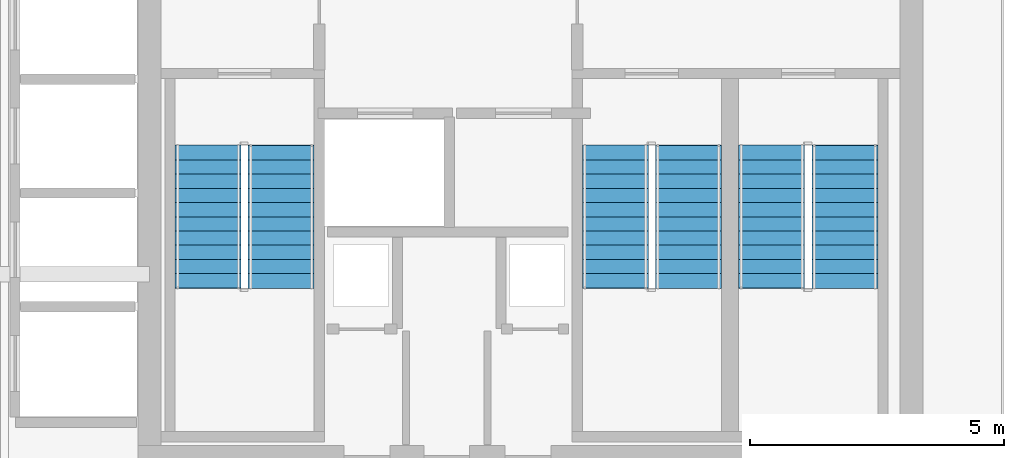
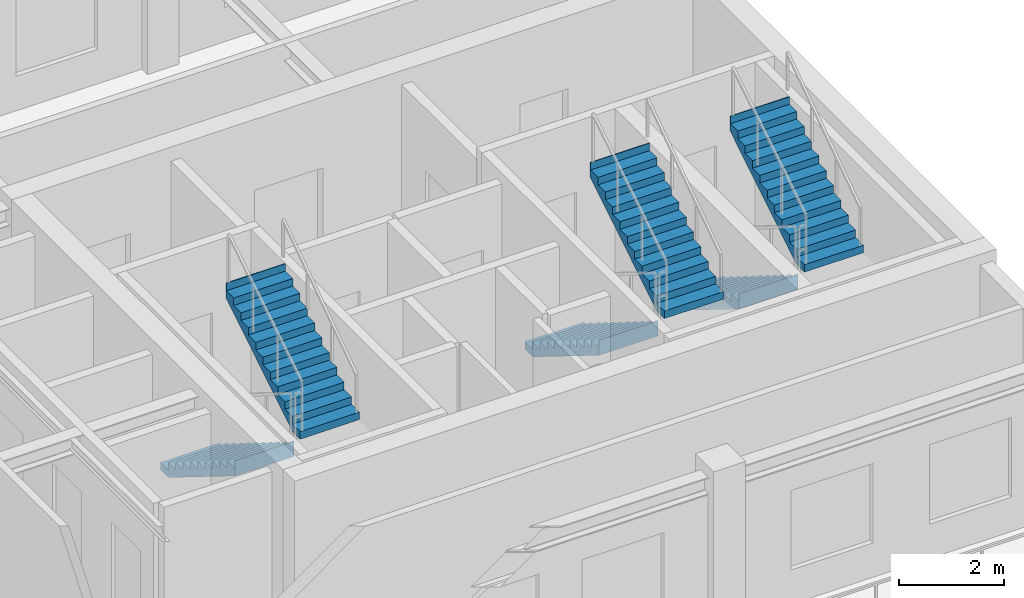
# One storey, part 5 of 7: 6 stair flights, 3 elements without a shape of their own.
"""IFC4 building model written with IfcOpenShell, lengths in metres."""

from ifc_helpers import new_model, si_unit, derived_unit, direction, frame, origin, place, context, subcontext, project, spatial, polyline, outline, extrude, source, transform, mapped, material, layer, layer_set, type_object, element, aggregate, save


model = new_model("IFC4")

# Units and contexts
model_context = context("Model", 3, precision=1e-05, world=origin(), true_north=direction((0.0, 1.0)))
body_context = subcontext(model_context, "Body", "Model", "MODEL_VIEW")
ifc_project = project(units=[si_unit("LENGTHUNIT", "METRE"), si_unit("AREAUNIT", "SQUARE_METRE"), si_unit("VOLUMEUNIT", "CUBIC_METRE"), si_unit("PLANEANGLEUNIT", "RADIAN"), si_unit("MASSUNIT", "GRAM", prefix="KILO"), si_unit("THERMODYNAMICTEMPERATUREUNIT", "KELVIN"), si_unit("POWERUNIT", "WATT"), derived_unit("THERMALTRANSMITTANCEUNIT", [(si_unit("POWERUNIT", "WATT"), 1), (si_unit("AREAUNIT", "SQUARE_METRE"), -1), (si_unit("THERMODYNAMICTEMPERATUREUNIT", "KELVIN"), -1)])], contexts=[model_context])

# Site, building, storey
site_placement = place(None, origin())
site = spatial("IfcSite", under=ifc_project, at=site_placement, CompositionType="ELEMENT")
building_placement = place(site_placement, origin())
building = spatial("IfcBuilding", under=site, at=building_placement, Name="Zahravan Archway Hotel and Residences", CompositionType="ELEMENT")
storey_placement = place(building_placement, frame((0.0, 0.0, 282.75)))
storey = spatial("IfcBuildingStorey", under=building, at=storey_placement, Name="L71", CompositionType="ELEMENT", Elevation=282.75)

# Stair, stair flights
ifc_material = material(Name="Concrete C50/60", Category="concrete")
stair_type = type_object("IfcStairType", Name="STR-CORE-1300", PredefinedType="HALF_TURN_STAIR", material=ifc_material)
stair_1_placement = place(storey_placement, origin())
stair_1 = element("IfcStair", 1, at=stair_1_placement, inside=storey, type_object=stair_type, Name="L71 Core A Exit Stair 1", PredefinedType="HALF_TURN_STAIR")
ifc_layer = layer(ifc_material, 0.199951171875, Name="Concrete C50/60", Category="concrete")
ifc_layer_set = layer_set([ifc_layer], Name="Concrete C50/60")
stair_flight_type = type_object("IfcStairFlightType", Name="SFL-CORE-1300", PredefinedType="STRAIGHT", material=ifc_layer_set)
shared_shape = source(origin(), body_context, "Body", "SweptSolid", [
    extrude(outline(polyline([(-0.01611328125, 0.0), (-0.01611328125, 0.175048828125), (0.280029296875, 0.175048828125), (0.280029296875, 0.35009765625), (0.56005859375, 0.35009765625), (0.56005859375, 0.52490234375), (0.840087890625, 0.52490234375), (0.840087890625, 0.699951171875), (1.1201171875, 0.699951171875), (1.1201171875, 0.875), (1.39990234375, 0.875), (1.39990234375, 1.050048828125), (1.679931640625, 1.050048828125), (1.679931640625, 1.22509765625), (1.9599609375, 1.22509765625), (1.9599609375, 1.39990234375), (2.239990234375, 1.39990234375), (2.239990234375, 1.574951171875), (2.52001953125, 1.574951171875), (2.52001953125, 1.75), (2.800048828125, 1.75), (2.800048828125, 1.925048828125), (2.816162109375, 1.925048828125), (2.816162109375, 1.5732421875), (0.28271484375, 0.0), (-0.01611328125, 0.0)])), frame((0.0, 0.64990234375, 0.0), z_axis=(0.0, -1.0, 0.0), x_axis=(1.0, 0.0, 0.0)), (0.0, 0.0, 1.0), 1.300048828125),
])
stair_flight_1_placement = place(storey_placement, frame((35.949951171875, 9.72998046875, 0.0), z_axis=(0.0, 0.0, 1.0), x_axis=(0.0, -1.0, 0.0)))
stair_flight_1 = element("IfcStairFlight", 2, at=stair_flight_1_placement, type_object=stair_flight_type, Name="ST-A1 flight 1", NumberOfRisers=11, NumberOfTreads=10, PredefinedType="STRAIGHT", RiserHeight=0.175, TreadLength=0.28, context=body_context, shape_type="MappedRepresentation", body=[
    mapped(shared_shape, transform((0.0, 0.0, 0.0), scale=1.0)),
])
stair_flight_2_placement = place(storey_placement, frame((37.389892578125, 6.929931640625, 1.925048828125), z_axis=(0.0, 0.0, 1.0), x_axis=(0.0, 1.0, 0.0)))
stair_flight_2 = element("IfcStairFlight", 3, at=stair_flight_2_placement, type_object=stair_flight_type, Name="ST-A1 flight 2", NumberOfRisers=11, NumberOfTreads=10, PredefinedType="STRAIGHT", RiserHeight=0.175, TreadLength=0.28, context=body_context, shape_type="MappedRepresentation", body=[
    mapped(shared_shape, transform((0.0, 0.0, 0.0), scale=1.0)),
])
aggregate(stair_1, [stair_flight_1, stair_flight_2])

stair_2_placement = place(storey_placement, origin())
stair_2 = element("IfcStair", 4, at=stair_2_placement, inside=storey, type_object=stair_type, Name="L71 Core A Exit Stair 2", PredefinedType="HALF_TURN_STAIR")
stair_flight_3_placement = place(storey_placement, frame((43.969970703125, 9.72998046875, 0.0), z_axis=(0.0, 0.0, 1.0), x_axis=(0.0, -1.0, 0.0)))
stair_flight_3 = element("IfcStairFlight", 5, at=stair_flight_3_placement, type_object=stair_flight_type, Name="ST-A2 flight 1", NumberOfRisers=11, NumberOfTreads=10, PredefinedType="STRAIGHT", RiserHeight=0.175, TreadLength=0.28, context=body_context, shape_type="MappedRepresentation", body=[
    mapped(shared_shape, transform((0.0, 0.0, 0.0), scale=1.0)),
])
stair_flight_4_placement = place(storey_placement, frame((45.409912109375, 6.929931640625, 1.925048828125), z_axis=(0.0, 0.0, 1.0), x_axis=(0.0, 1.0, 0.0)))
stair_flight_4 = element("IfcStairFlight", 6, at=stair_flight_4_placement, type_object=stair_flight_type, Name="ST-A2 flight 2", NumberOfRisers=11, NumberOfTreads=10, PredefinedType="STRAIGHT", RiserHeight=0.175, TreadLength=0.28, context=body_context, shape_type="MappedRepresentation", body=[
    mapped(shared_shape, transform((0.0, 0.0, 0.0), scale=1.0)),
])
aggregate(stair_2, [stair_flight_3, stair_flight_4])

stair_3_placement = place(storey_placement, origin())
stair_3 = element("IfcStair", 7, at=stair_3_placement, inside=storey, type_object=stair_type, Name="L71 Core A Exit Stair 3", PredefinedType="HALF_TURN_STAIR")
stair_flight_5_placement = place(storey_placement, frame((47.050048828125, 9.72998046875, 0.0), z_axis=(0.0, 0.0, 1.0), x_axis=(0.0, -1.0, 0.0)))
stair_flight_5 = element("IfcStairFlight", 8, at=stair_flight_5_placement, type_object=stair_flight_type, Name="ST-A3 flight 1", NumberOfRisers=11, NumberOfTreads=10, PredefinedType="STRAIGHT", RiserHeight=0.175, TreadLength=0.28, context=body_context, shape_type="MappedRepresentation", body=[
    mapped(shared_shape, transform((0.0, 0.0, 0.0), scale=1.0)),
])
stair_flight_6_placement = place(storey_placement, frame((48.489990234375, 6.929931640625, 1.925048828125), z_axis=(0.0, 0.0, 1.0), x_axis=(0.0, 1.0, 0.0)))
stair_flight_6 = element("IfcStairFlight", 9, at=stair_flight_6_placement, type_object=stair_flight_type, Name="ST-A3 flight 2", NumberOfRisers=11, NumberOfTreads=10, PredefinedType="STRAIGHT", RiserHeight=0.175, TreadLength=0.28, context=body_context, shape_type="MappedRepresentation", body=[
    mapped(shared_shape, transform((0.0, 0.0, 0.0), scale=1.0)),
])
aggregate(stair_3, [stair_flight_5, stair_flight_6])

save(model, "model.ifc")
